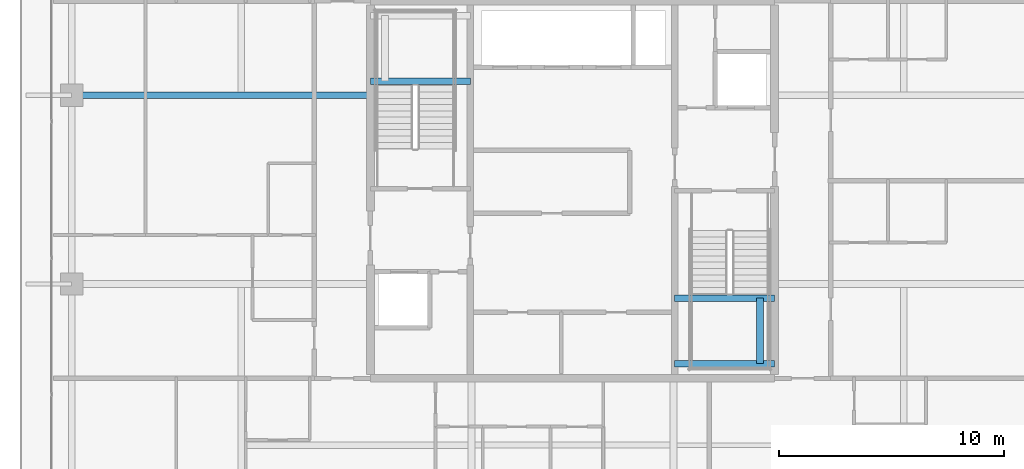
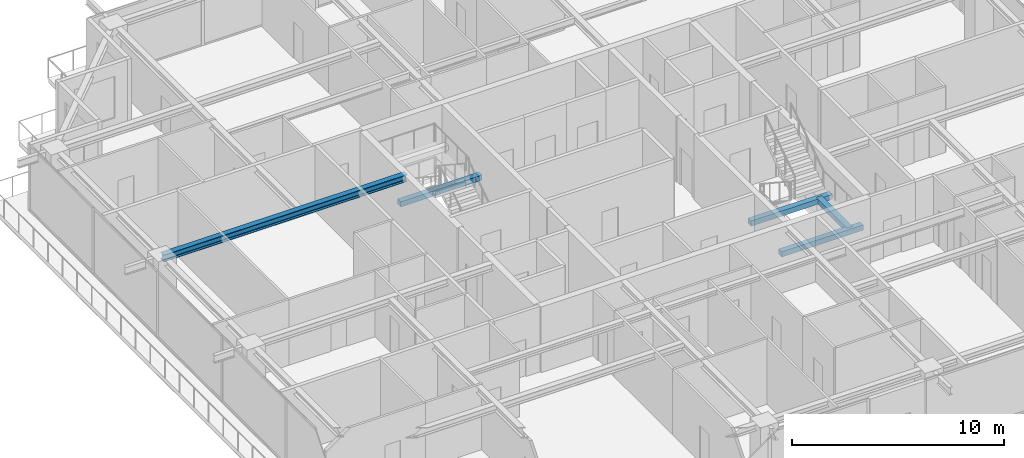
# One storey, part 11 of 42: 5 beams.
"""IFC4 building model written with IfcOpenShell, lengths in metres."""

from ifc_helpers import new_model, si_unit, direction, frame, origin, origin_2d, place, context, subcontext, project, spatial, rectangle, i_section, extrude, source, transform, mapped, material, material_profile, profile_set, type_object, element, save


model = new_model("IFC4")

# Units and contexts
model_context = context("Model", 3, precision=1e-05, world=origin(), true_north=direction((0.0, 1.0)))
body_context = subcontext(model_context, "Body", "Model", "MODEL_VIEW")
ifc_project = project(units=[si_unit("LENGTHUNIT", "METRE"), si_unit("AREAUNIT", "SQUARE_METRE"), si_unit("VOLUMEUNIT", "CUBIC_METRE"), si_unit("PLANEANGLEUNIT", "RADIAN"), si_unit("MASSUNIT", "GRAM", prefix="KILO")], contexts=[model_context])

# Site, building, storey
site_placement = place(None, origin())
site = spatial("IfcSite", under=ifc_project, at=site_placement, CompositionType="ELEMENT")
building_placement = place(site_placement, origin())
building = spatial("IfcBuilding", under=site, at=building_placement, Name="Serunith Strait Residences", CompositionType="ELEMENT")
storey_placement = place(building_placement, frame((0.0, 0.0, 309.64990234375)))
storey = spatial("IfcBuildingStorey", under=building, at=storey_placement, Name="L77", CompositionType="ELEMENT", Elevation=309.64990234375)

# Beams
ifc_material_1 = material(Name="Steel S355J2", Category="steel")
ifc_material_profile_1 = material_profile(ifc_material_1, i_section(OverallWidth=0.300048828125, OverallDepth=0.39990234375, WebThickness=0.013427734375, FlangeThickness=0.02392578125, FilletRadius=0.027099609375, at=origin_2d()), Name="HEB 400")
ifc_profile_set_1 = profile_set([ifc_material_profile_1], Name="Steel S355J2")
beam_type_1 = type_object("IfcBeamType", Name="BM-HEB400", PredefinedType="BEAM", material=ifc_profile_set_1)
shared_shape_1 = source(origin(), body_context, "Body", "SweptSolid", [
    extrude(i_section(OverallWidth=0.300048828125, OverallDepth=0.39990234375, WebThickness=0.013427734375, FlangeThickness=0.02392578125, FilletRadius=0.027099609375, at=origin_2d()), origin(), (0.0, 0.0, 1.0), 13.2998046875),
])
beam_1_placement = place(storey_placement, frame((23.39990234375, 29.39990234375, 3.587158203125), z_axis=(-1.0, 0.0, 0.0), x_axis=(0.0, -1.0, 0.0)))
element("IfcBeam", 1, at=beam_1_placement, inside=storey, type_object=beam_type_1, Name="L77 Primary Floor Girder TC-W3", PredefinedType="BEAM", context=body_context, shape_type="MappedRepresentation", body=[
    mapped(shared_shape_1, transform((0.0, 0.0, 0.0), scale=1.0)),
])
ifc_material_2 = material(Name="Concrete C60/75", Category="concrete")
ifc_material_profile_2 = material_profile(ifc_material_2, rectangle(XDim=0.300048828125, YDim=0.300048828125, at=origin_2d()), Name="RC 300x300")
ifc_profile_set_2 = profile_set([ifc_material_profile_2], Name="Concrete C60/75")
beam_type_2 = type_object("IfcBeamType", Name="BM-LAND-300x300", PredefinedType="BEAM", material=ifc_profile_set_2)
shared_shape_2 = source(origin(), body_context, "Body", "SweptSolid", [
    extrude(rectangle(XDim=0.300048828125, YDim=0.300048828125, at=origin_2d()), origin(), (0.0, 0.0, 1.0), 4.4501953125),
])
beam_2_placement = place(storey_placement, frame((23.39990234375, 30.030029296875, 1.675048828125), z_axis=(1.0, 0.0, 0.0), x_axis=(0.0, 1.0, 0.0)))
element("IfcBeam", 2, at=beam_2_placement, inside=storey, type_object=beam_type_2, Name="L77 ST-1 Landing Support Beam 1", PredefinedType="BEAM", context=body_context, shape_type="MappedRepresentation", body=[
    mapped(shared_shape_2, transform((0.0, 0.0, 0.0), scale=1.0)),
])
shared_shape_3 = source(origin(), body_context, "Body", "SweptSolid", [
    extrude(rectangle(XDim=0.300048828125, YDim=0.300048828125, at=origin_2d()), origin(), (0.0, 0.0, 1.0), 4.449951171875),
])
for number, where, z_axis, x_axis, name in (
    (3, (36.949951171875, 17.449951171875, 1.675048828125), (1.0, 0.0, 0.0), (0.0, 1.0, 0.0), "L77 ST-2 Landing Support Beam 1"),
    (4, (36.949951171875, 20.3701171875, 1.675048828125), (1.0, 0.0, 0.0), (0.0, 1.0, 0.0), "L77 ST-2 Landing Support Beam 2"),
):
    element("IfcBeam", number, at=place(storey_placement, frame(where, z_axis=z_axis, x_axis=x_axis)), inside=storey, type_object=beam_type_2, Name=name, PredefinedType="BEAM", context=body_context, shape_type="MappedRepresentation", body=[
        mapped(shared_shape_3, transform((0.0, 0.0, 0.0), scale=1.0)),
    ])
shared_shape_4 = source(origin(), body_context, "Body", "SweptSolid", [
    extrude(rectangle(XDim=0.300048828125, YDim=0.300048828125, at=origin_2d()), origin(), (0.0, 0.0, 1.0), 2.920166015625),
])
beam_3_placement = place(storey_placement, frame((40.75, 17.449951171875, 1.675048828125), z_axis=(0.0, 1.0, 0.0), x_axis=(-1.0, 0.0, 0.0)))
element("IfcBeam", 5, at=beam_3_placement, inside=storey, type_object=beam_type_2, Name="L77 ST-2 Landing Transverse Tie Beam", PredefinedType="BEAM", context=body_context, shape_type="MappedRepresentation", body=[
    mapped(shared_shape_4, transform((0.0, 0.0, 0.0), scale=1.0)),
])

save(model, "model.ifc")
